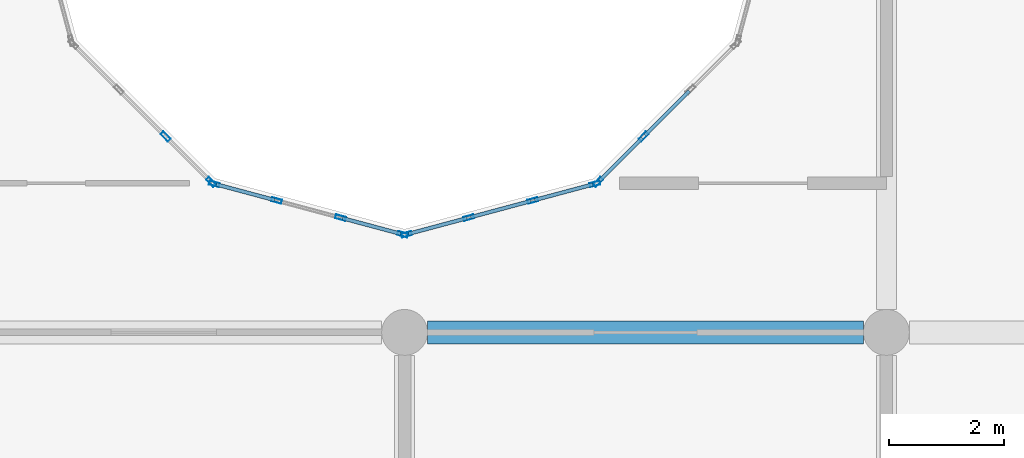
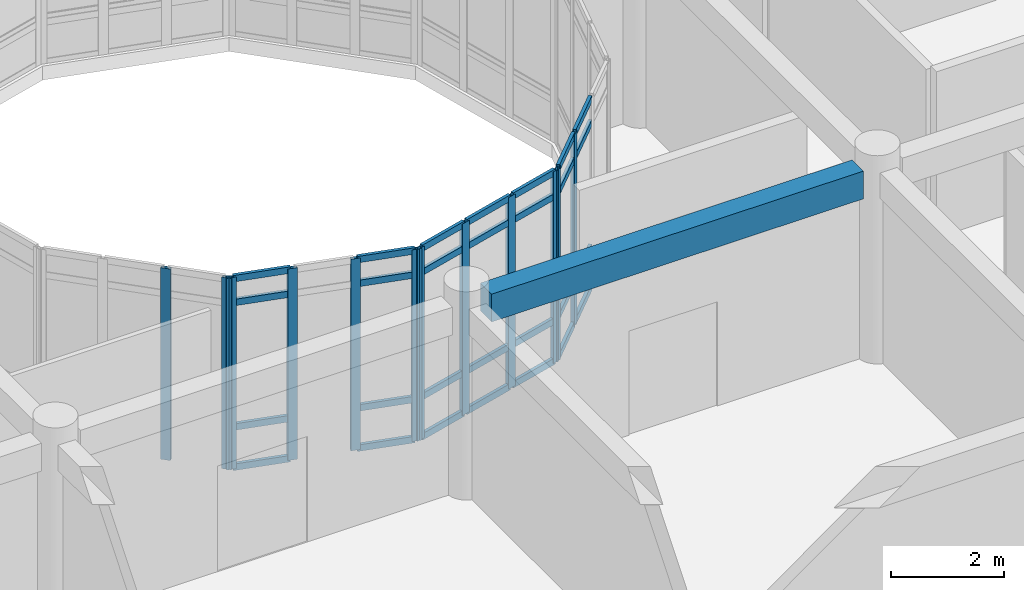
# One storey, part 32 of 144: 40 members, 1 beam, 4 elements without a shape of their own.
"""IFC4 building model written with IfcOpenShell, lengths in metres."""

from ifc_helpers import new_model, si_unit, direction, frame, origin, origin_2d, place, context, subcontext, project, spatial, rectangle, hollow_rectangle, extrude, material, layer, layer_set, material_profile, profile_set, type_object, element, aggregate, save


model = new_model("IFC4")

# Units and contexts
model_context = context("Model", 3, precision=1e-05, world=origin(), true_north=direction((0.0, 1.0)))
body_context = subcontext(model_context, "Body", "Model", "MODEL_VIEW")
ifc_project = project(units=[si_unit("LENGTHUNIT", "METRE"), si_unit("AREAUNIT", "SQUARE_METRE"), si_unit("VOLUMEUNIT", "CUBIC_METRE"), si_unit("PLANEANGLEUNIT", "RADIAN"), si_unit("MASSUNIT", "GRAM", prefix="KILO")], contexts=[model_context])

# Site, building, storey
site_placement = place(None, origin())
site = spatial("IfcSite", under=ifc_project, at=site_placement, CompositionType="ELEMENT")
building_placement = place(site_placement, origin())
building = spatial("IfcBuilding", under=site, at=building_placement, Name="Bramfleet General Hospital", CompositionType="ELEMENT")
storey_placement = place(building_placement, frame((0.0, 0.0, 4.800048828125)))
storey = spatial("IfcBuildingStorey", under=building, at=storey_placement, Name="L01", CompositionType="ELEMENT", Elevation=4.800048828125)

# Beam
ifc_material_1 = material(Name="Concrete C35/45", Category="concrete")
ifc_material_profile_1 = material_profile(ifc_material_1, rectangle(XDim=0.39990234375, YDim=0.60009765625, at=origin_2d()), Name="RC BM 600x400")
ifc_profile_set_1 = profile_set([ifc_material_profile_1], Name="Concrete C35/45")
beam_type = type_object("IfcBeamType", Name="BM-RC600", PredefinedType="BEAM", material=ifc_profile_set_1)
beam_placement = place(storey_placement, frame((25.60009765625, 75.60009765625, 3.849853515625), z_axis=(1.0, 0.0, 0.0), x_axis=(0.0, 1.0, 0.0)))
element("IfcBeam", 1, at=beam_placement, inside=storey, type_object=beam_type, Name="L01 Grid Beam X 03-09", PredefinedType="BEAM", context=body_context, shape_type="SweptSolid", body=[
    extrude(rectangle(XDim=0.39990234375, YDim=0.60009765625, at=origin_2d()), origin(), (0.0, 0.0, 1.0), 7.599853515625),
])

# Curtain wall, members
ifc_material_2 = material(Name="Anodised aluminium and low-E triple glazing", Category="aluminium")
ifc_layer_1 = layer(ifc_material_2, 0.179931640625, Name="CWT-CW-18")
ifc_layer_set_1 = layer_set([ifc_layer_1], Name="Anodised aluminium and low-E triple glazing")
curtain_wall_type_1 = type_object("IfcCurtainWallType", Name="CWT-CW-18", PredefinedType="USERDEFINED", material=ifc_layer_set_1)
curtain_wall_1_placement = place(storey_placement, origin())
curtain_wall_1 = element("IfcCurtainWall", 2, at=curtain_wall_1_placement, inside=storey, type_object=curtain_wall_type_1, Name="L01 West Clinical Light Court Curtain Wall 2.1", ObjectType="Stick curtain wall", PredefinedType="USERDEFINED")
ifc_material_3 = material(Name="Anodised aluminium EN AW-6060", Category="aluminium")
ifc_material_profile_2 = material_profile(ifc_material_3, hollow_rectangle(XDim=0.070068359375, YDim=0.179931640625, WallThickness=0.00390625, at=origin_2d()), Name="ALU 180x70x4.0")
ifc_profile_set_2 = profile_set([ifc_material_profile_2], Name="Anodised aluminium EN AW-6060")
member_type_1 = type_object("IfcMemberType", Name="CWM-ALU180", PredefinedType="MULLION", material=ifc_profile_set_2)
member_1_placement = place(storey_placement, frame((21.03271484375, 79.015380859375, 0.0), z_axis=(0.0, 0.0, 1.0), x_axis=(0.707106781187, 0.707106781187, 0.0)))
member_1 = element("IfcMember", 3, at=member_1_placement, type_object=member_type_1, Name="CW-18 mullion 3", PredefinedType="MULLION", context=body_context, shape_type="SweptSolid", body=[
    extrude(hollow_rectangle(XDim=0.070068359375, YDim=0.179931640625, WallThickness=0.00390625, at=origin_2d()), origin(), (0.0, 0.0, 1.0), 4.139892578125),
])
member_2_placement = place(storey_placement, frame((21.8251953125, 78.22265625, 0.0), z_axis=(0.0, 0.0, 1.0), x_axis=(0.707106781187, 0.707106781187, 0.0)))
member_2 = element("IfcMember", 4, at=member_2_placement, type_object=member_type_1, Name="CW-18 mullion 4", PredefinedType="MULLION", context=body_context, shape_type="SweptSolid", body=[
    extrude(hollow_rectangle(XDim=0.070068359375, YDim=0.179931640625, WallThickness=0.00390625, at=origin_2d()), origin(), (0.0, 0.0, 1.0), 4.139892578125),
])
aggregate(curtain_wall_1, [member_1, member_2])

ifc_layer_2 = layer(ifc_material_2, 0.179931640625, Name="CWT-CW-11")
ifc_layer_set_2 = layer_set([ifc_layer_2], Name="Anodised aluminium and low-E triple glazing")
curtain_wall_type_2 = type_object("IfcCurtainWallType", Name="CWT-CW-11", PredefinedType="USERDEFINED", material=ifc_layer_set_2)
curtain_wall_2_placement = place(storey_placement, origin())
curtain_wall_2 = element("IfcCurtainWall", 5, at=curtain_wall_2_placement, inside=storey, type_object=curtain_wall_type_2, Name="L01 West Clinical Light Court Curtain Wall 3.1", ObjectType="Stick curtain wall", PredefinedType="USERDEFINED")
member_3_placement = place(storey_placement, frame((21.8837890625, 78.18896484375, 0.0), z_axis=(0.0, 0.0, 1.0), x_axis=(0.25891863407, 0.965899136003, 0.0)))
member_3 = element("IfcMember", 6, at=member_3_placement, type_object=member_type_1, Name="CW-11 mullion 1", PredefinedType="MULLION", context=body_context, shape_type="SweptSolid", body=[
    extrude(hollow_rectangle(XDim=0.070068359375, YDim=0.179931640625, WallThickness=0.00390625, at=origin_2d()), origin(), (0.0, 0.0, 1.0), 4.139892578125),
])
member_4_placement = place(storey_placement, frame((22.966552734375, 77.898681640625, 0.0), z_axis=(0.0, 0.0, 1.0), x_axis=(0.25891863407, 0.965899136003, 0.0)))
member_4 = element("IfcMember", 7, at=member_4_placement, type_object=member_type_1, Name="CW-11 mullion 2", PredefinedType="MULLION", context=body_context, shape_type="SweptSolid", body=[
    extrude(hollow_rectangle(XDim=0.070068359375, YDim=0.179931640625, WallThickness=0.00390625, at=origin_2d()), origin(), (0.0, 0.0, 1.0), 4.139892578125),
])
member_5_placement = place(storey_placement, frame((24.083251953125, 77.599365234375, 0.0), z_axis=(0.0, 0.0, 1.0), x_axis=(0.25891863407, 0.965899136003, 0.0)))
member_5 = element("IfcMember", 8, at=member_5_placement, type_object=member_type_1, Name="CW-11 mullion 3", PredefinedType="MULLION", context=body_context, shape_type="SweptSolid", body=[
    extrude(hollow_rectangle(XDim=0.070068359375, YDim=0.179931640625, WallThickness=0.00390625, at=origin_2d()), origin(), (0.0, 0.0, 1.0), 4.139892578125),
])
member_6_placement = place(storey_placement, frame((25.166259765625, 77.30908203125, 0.0), z_axis=(0.0, 0.0, 1.0), x_axis=(0.25891863407, 0.965899136003, 0.0)))
member_6 = element("IfcMember", 9, at=member_6_placement, type_object=member_type_1, Name="CW-11 mullion 4", PredefinedType="MULLION", context=body_context, shape_type="SweptSolid", body=[
    extrude(hollow_rectangle(XDim=0.070068359375, YDim=0.179931640625, WallThickness=0.00390625, at=origin_2d()), origin(), (0.0, 0.0, 1.0), 4.139892578125),
])

ifc_layer_3 = layer(ifc_material_2, 0.179931640625, Name="CWT-CW-12")
ifc_layer_set_3 = layer_set([ifc_layer_3], Name="Anodised aluminium and low-E triple glazing")
curtain_wall_type_3 = type_object("IfcCurtainWallType", Name="CWT-CW-12", PredefinedType="USERDEFINED", material=ifc_layer_set_3)
curtain_wall_3_placement = place(storey_placement, origin())
curtain_wall_3 = element("IfcCurtainWall", 10, at=curtain_wall_3_placement, inside=storey, type_object=curtain_wall_type_3, Name="L01 West Clinical Light Court Curtain Wall 4.1", ObjectType="Stick curtain wall", PredefinedType="USERDEFINED")
member_7_placement = place(storey_placement, frame((25.23388671875, 77.30908203125, 0.0), z_axis=(0.0, 0.0, 1.0), x_axis=(-0.25891863407, 0.965899136003, 0.0)))
member_7 = element("IfcMember", 11, at=member_7_placement, type_object=member_type_1, Name="CW-12 mullion 1", PredefinedType="MULLION", context=body_context, shape_type="SweptSolid", body=[
    extrude(hollow_rectangle(XDim=0.070068359375, YDim=0.179931640625, WallThickness=0.00390625, at=origin_2d()), origin(), (0.0, 0.0, 1.0), 4.139892578125),
])
member_8_placement = place(storey_placement, frame((26.316650390625, 77.599365234375, 0.0), z_axis=(0.0, 0.0, 1.0), x_axis=(-0.25891863407, 0.965899136003, 0.0)))
member_8 = element("IfcMember", 12, at=member_8_placement, type_object=member_type_1, Name="CW-12 mullion 2", PredefinedType="MULLION", context=body_context, shape_type="SweptSolid", body=[
    extrude(hollow_rectangle(XDim=0.070068359375, YDim=0.179931640625, WallThickness=0.00390625, at=origin_2d()), origin(), (0.0, 0.0, 1.0), 4.139892578125),
])
member_9_placement = place(storey_placement, frame((27.433349609375, 77.898681640625, 0.0), z_axis=(0.0, 0.0, 1.0), x_axis=(-0.25891863407, 0.965899136003, 0.0)))
member_9 = element("IfcMember", 13, at=member_9_placement, type_object=member_type_1, Name="CW-12 mullion 3", PredefinedType="MULLION", context=body_context, shape_type="SweptSolid", body=[
    extrude(hollow_rectangle(XDim=0.070068359375, YDim=0.179931640625, WallThickness=0.00390625, at=origin_2d()), origin(), (0.0, 0.0, 1.0), 4.139892578125),
])
member_10_placement = place(storey_placement, frame((28.51611328125, 78.18896484375, 0.0), z_axis=(0.0, 0.0, 1.0), x_axis=(-0.25891863407, 0.965899136003, 0.0)))
member_10 = element("IfcMember", 14, at=member_10_placement, type_object=member_type_1, Name="CW-12 mullion 4", PredefinedType="MULLION", context=body_context, shape_type="SweptSolid", body=[
    extrude(hollow_rectangle(XDim=0.070068359375, YDim=0.179931640625, WallThickness=0.00390625, at=origin_2d()), origin(), (0.0, 0.0, 1.0), 4.139892578125),
])

ifc_layer_4 = layer(ifc_material_2, 0.179931640625, Name="CWT-CW-13")
ifc_layer_set_4 = layer_set([ifc_layer_4], Name="Anodised aluminium and low-E triple glazing")
curtain_wall_type_4 = type_object("IfcCurtainWallType", Name="CWT-CW-13", PredefinedType="USERDEFINED", material=ifc_layer_set_4)
curtain_wall_4_placement = place(storey_placement, origin())
curtain_wall_4 = element("IfcCurtainWall", 15, at=curtain_wall_4_placement, inside=storey, type_object=curtain_wall_type_4, Name="L01 West Clinical Light Court Curtain Wall 5.1", ObjectType="Stick curtain wall", PredefinedType="USERDEFINED")
member_11_placement = place(storey_placement, frame((28.57470703125, 78.22265625, 0.0), z_axis=(0.0, 0.0, 1.0), x_axis=(-0.707106781187, 0.707106781187, 0.0)))
member_11 = element("IfcMember", 16, at=member_11_placement, type_object=member_type_1, Name="CW-13 mullion 1", PredefinedType="MULLION", context=body_context, shape_type="SweptSolid", body=[
    extrude(hollow_rectangle(XDim=0.070068359375, YDim=0.179931640625, WallThickness=0.00390625, at=origin_2d()), origin(), (0.0, 0.0, 1.0), 4.139892578125),
])
member_12_placement = place(storey_placement, frame((29.367431640625, 79.015380859375, 0.0), z_axis=(0.0, 0.0, 1.0), x_axis=(-0.707106781187, 0.707106781187, 0.0)))
member_12 = element("IfcMember", 17, at=member_12_placement, type_object=member_type_1, Name="CW-13 mullion 2", PredefinedType="MULLION", context=body_context, shape_type="SweptSolid", body=[
    extrude(hollow_rectangle(XDim=0.070068359375, YDim=0.179931640625, WallThickness=0.00390625, at=origin_2d()), origin(), (0.0, 0.0, 1.0), 4.139892578125),
])

# Member
ifc_material_profile_3 = material_profile(ifc_material_3, hollow_rectangle(XDim=0.06494140625, YDim=0.139892578125, WallThickness=0.00390625, at=origin_2d()), Name="ALU 140x65x4.0")
ifc_profile_set_3 = profile_set([ifc_material_profile_3], Name="Anodised aluminium EN AW-6060")
member_type_2 = type_object("IfcMemberType", Name="CWT-ALU140", PredefinedType="USERDEFINED", material=ifc_profile_set_3)
member_13_placement = place(storey_placement, frame((21.917724609375, 78.179931640625, 0.032470703125), z_axis=(0.965875443458, -0.259007003236, 0.0), x_axis=(0.259007003236, 0.965875443458, 0.0)))
member_13 = element("IfcMember", 18, at=member_13_placement, type_object=member_type_2, Name="CW-11 transom 1.1", ObjectType="TRANSOM", PredefinedType="USERDEFINED", context=body_context, shape_type="SweptSolid", body=[
    extrude(hollow_rectangle(XDim=0.06494140625, YDim=0.139892578125, WallThickness=0.00390625, at=origin_2d()), origin(), (0.0, 0.0, 1.0), 1.051025390625),
])

member_14_placement = place(storey_placement, frame((21.917724609375, 78.179931640625, 0.89990234375), z_axis=(0.965875443458, -0.259007003236, 0.0), x_axis=(0.259007003236, 0.965875443458, 0.0)))
member_14 = element("IfcMember", 19, at=member_14_placement, type_object=member_type_2, Name="CW-11 transom 1.2", ObjectType="TRANSOM", PredefinedType="USERDEFINED", context=body_context, shape_type="SweptSolid", body=[
    extrude(hollow_rectangle(XDim=0.06494140625, YDim=0.139892578125, WallThickness=0.00390625, at=origin_2d()), origin(), (0.0, 0.0, 1.0), 1.051025390625),
])

member_15_placement = place(storey_placement, frame((21.917724609375, 78.179931640625, 3.58984375), z_axis=(0.965875443458, -0.259007003236, 0.0), x_axis=(0.259007003236, 0.965875443458, 0.0)))
member_15 = element("IfcMember", 20, at=member_15_placement, type_object=member_type_2, Name="CW-11 transom 1.3", ObjectType="TRANSOM", PredefinedType="USERDEFINED", context=body_context, shape_type="SweptSolid", body=[
    extrude(hollow_rectangle(XDim=0.06494140625, YDim=0.139892578125, WallThickness=0.00390625, at=origin_2d()), origin(), (0.0, 0.0, 1.0), 1.051025390625),
])

member_16_placement = place(storey_placement, frame((21.917724609375, 78.179931640625, 4.107421875), z_axis=(0.965875443458, -0.259007003236, 0.0), x_axis=(0.259007003236, 0.965875443458, 0.0)))
member_16 = element("IfcMember", 21, at=member_16_placement, type_object=member_type_2, Name="CW-11 transom 1.4", ObjectType="TRANSOM", PredefinedType="USERDEFINED", context=body_context, shape_type="SweptSolid", body=[
    extrude(hollow_rectangle(XDim=0.06494140625, YDim=0.139892578125, WallThickness=0.00390625, at=origin_2d()), origin(), (0.0, 0.0, 1.0), 1.051025390625),
])

member_17_placement = place(storey_placement, frame((24.1171875, 77.59033203125, 0.032470703125), z_axis=(0.965875443458, -0.259007003236, 0.0), x_axis=(0.259007003236, 0.965875443458, 0.0)))
member_17 = element("IfcMember", 22, at=member_17_placement, type_object=member_type_2, Name="CW-11 transom 3.1", ObjectType="TRANSOM", PredefinedType="USERDEFINED", context=body_context, shape_type="SweptSolid", body=[
    extrude(hollow_rectangle(XDim=0.06494140625, YDim=0.139892578125, WallThickness=0.00390625, at=origin_2d()), origin(), (0.0, 0.0, 1.0), 1.051025390625),
])

member_18_placement = place(storey_placement, frame((24.1171875, 77.59033203125, 0.89990234375), z_axis=(0.965875443458, -0.259007003236, 0.0), x_axis=(0.259007003236, 0.965875443458, 0.0)))
member_18 = element("IfcMember", 23, at=member_18_placement, type_object=member_type_2, Name="CW-11 transom 3.2", ObjectType="TRANSOM", PredefinedType="USERDEFINED", context=body_context, shape_type="SweptSolid", body=[
    extrude(hollow_rectangle(XDim=0.06494140625, YDim=0.139892578125, WallThickness=0.00390625, at=origin_2d()), origin(), (0.0, 0.0, 1.0), 1.051025390625),
])

member_19_placement = place(storey_placement, frame((24.1171875, 77.59033203125, 3.58984375), z_axis=(0.965875443458, -0.259007003236, 0.0), x_axis=(0.259007003236, 0.965875443458, 0.0)))
member_19 = element("IfcMember", 24, at=member_19_placement, type_object=member_type_2, Name="CW-11 transom 3.3", ObjectType="TRANSOM", PredefinedType="USERDEFINED", context=body_context, shape_type="SweptSolid", body=[
    extrude(hollow_rectangle(XDim=0.06494140625, YDim=0.139892578125, WallThickness=0.00390625, at=origin_2d()), origin(), (0.0, 0.0, 1.0), 1.051025390625),
])

member_20_placement = place(storey_placement, frame((24.1171875, 77.59033203125, 4.107421875), z_axis=(0.965875443458, -0.259007003236, 0.0), x_axis=(0.259007003236, 0.965875443458, 0.0)))
member_20 = element("IfcMember", 25, at=member_20_placement, type_object=member_type_2, Name="CW-11 transom 3.4", ObjectType="TRANSOM", PredefinedType="USERDEFINED", context=body_context, shape_type="SweptSolid", body=[
    extrude(hollow_rectangle(XDim=0.06494140625, YDim=0.139892578125, WallThickness=0.00390625, at=origin_2d()), origin(), (0.0, 0.0, 1.0), 1.051025390625),
])

aggregate(curtain_wall_2, [member_3, member_4, member_5, member_6, member_13, member_14, member_15, member_16, member_17, member_18, member_19, member_20])

member_21_placement = place(storey_placement, frame((25.267578125, 77.318115234375, 0.032470703125), z_axis=(0.965891021523, 0.258948903342, 0.0), x_axis=(-0.258948903342, 0.965891021523, 0.0)))
member_21 = element("IfcMember", 26, at=member_21_placement, type_object=member_type_2, Name="CW-12 transom 1.1", ObjectType="TRANSOM", PredefinedType="USERDEFINED", context=body_context, shape_type="SweptSolid", body=[
    extrude(hollow_rectangle(XDim=0.06494140625, YDim=0.139892578125, WallThickness=0.00390625, at=origin_2d()), origin(), (0.0, 0.0, 1.0), 1.05126953125),
])

member_22_placement = place(storey_placement, frame((25.267578125, 77.318115234375, 0.89990234375), z_axis=(0.965891021523, 0.258948903342, 0.0), x_axis=(-0.258948903342, 0.965891021523, 0.0)))
member_22 = element("IfcMember", 27, at=member_22_placement, type_object=member_type_2, Name="CW-12 transom 1.2", ObjectType="TRANSOM", PredefinedType="USERDEFINED", context=body_context, shape_type="SweptSolid", body=[
    extrude(hollow_rectangle(XDim=0.06494140625, YDim=0.139892578125, WallThickness=0.00390625, at=origin_2d()), origin(), (0.0, 0.0, 1.0), 1.05126953125),
])

member_23_placement = place(storey_placement, frame((25.267578125, 77.318115234375, 3.58984375), z_axis=(0.965891021523, 0.258948903342, 0.0), x_axis=(-0.258948903342, 0.965891021523, 0.0)))
member_23 = element("IfcMember", 28, at=member_23_placement, type_object=member_type_2, Name="CW-12 transom 1.3", ObjectType="TRANSOM", PredefinedType="USERDEFINED", context=body_context, shape_type="SweptSolid", body=[
    extrude(hollow_rectangle(XDim=0.06494140625, YDim=0.139892578125, WallThickness=0.00390625, at=origin_2d()), origin(), (0.0, 0.0, 1.0), 1.05126953125),
])

member_24_placement = place(storey_placement, frame((25.267578125, 77.318115234375, 4.107421875), z_axis=(0.965891021523, 0.258948903342, 0.0), x_axis=(-0.258948903342, 0.965891021523, 0.0)))
member_24 = element("IfcMember", 29, at=member_24_placement, type_object=member_type_2, Name="CW-12 transom 1.4", ObjectType="TRANSOM", PredefinedType="USERDEFINED", context=body_context, shape_type="SweptSolid", body=[
    extrude(hollow_rectangle(XDim=0.06494140625, YDim=0.139892578125, WallThickness=0.00390625, at=origin_2d()), origin(), (0.0, 0.0, 1.0), 1.05126953125),
])

member_25_placement = place(storey_placement, frame((26.3505859375, 77.6083984375, 0.032470703125), z_axis=(0.965875768108, 0.259005792565, 0.0), x_axis=(-0.259005792565, 0.965875768108, 0.0)))
member_25 = element("IfcMember", 30, at=member_25_placement, type_object=member_type_2, Name="CW-12 transom 2.1", ObjectType="TRANSOM", PredefinedType="USERDEFINED", context=body_context, shape_type="SweptSolid", body=[
    extrude(hollow_rectangle(XDim=0.06494140625, YDim=0.139892578125, WallThickness=0.00390625, at=origin_2d()), origin(), (0.0, 0.0, 1.0), 1.0859375),
])

member_26_placement = place(storey_placement, frame((26.3505859375, 77.6083984375, 0.89990234375), z_axis=(0.965875768108, 0.259005792565, 0.0), x_axis=(-0.259005792565, 0.965875768108, 0.0)))
member_26 = element("IfcMember", 31, at=member_26_placement, type_object=member_type_2, Name="CW-12 transom 2.2", ObjectType="TRANSOM", PredefinedType="USERDEFINED", context=body_context, shape_type="SweptSolid", body=[
    extrude(hollow_rectangle(XDim=0.06494140625, YDim=0.139892578125, WallThickness=0.00390625, at=origin_2d()), origin(), (0.0, 0.0, 1.0), 1.0859375),
])

member_27_placement = place(storey_placement, frame((26.3505859375, 77.6083984375, 3.58984375), z_axis=(0.965875768108, 0.259005792565, 0.0), x_axis=(-0.259005792565, 0.965875768108, 0.0)))
member_27 = element("IfcMember", 32, at=member_27_placement, type_object=member_type_2, Name="CW-12 transom 2.3", ObjectType="TRANSOM", PredefinedType="USERDEFINED", context=body_context, shape_type="SweptSolid", body=[
    extrude(hollow_rectangle(XDim=0.06494140625, YDim=0.139892578125, WallThickness=0.00390625, at=origin_2d()), origin(), (0.0, 0.0, 1.0), 1.0859375),
])

member_28_placement = place(storey_placement, frame((26.3505859375, 77.6083984375, 4.107421875), z_axis=(0.965875768108, 0.259005792565, 0.0), x_axis=(-0.259005792565, 0.965875768108, 0.0)))
member_28 = element("IfcMember", 33, at=member_28_placement, type_object=member_type_2, Name="CW-12 transom 2.4", ObjectType="TRANSOM", PredefinedType="USERDEFINED", context=body_context, shape_type="SweptSolid", body=[
    extrude(hollow_rectangle(XDim=0.06494140625, YDim=0.139892578125, WallThickness=0.00390625, at=origin_2d()), origin(), (0.0, 0.0, 1.0), 1.0859375),
])

member_29_placement = place(storey_placement, frame((27.467041015625, 77.90771484375, 0.032470703125), z_axis=(0.965891021523, 0.258948903342, 0.0), x_axis=(-0.258948903342, 0.965891021523, 0.0)))
member_29 = element("IfcMember", 34, at=member_29_placement, type_object=member_type_2, Name="CW-12 transom 3.1", ObjectType="TRANSOM", PredefinedType="USERDEFINED", context=body_context, shape_type="SweptSolid", body=[
    extrude(hollow_rectangle(XDim=0.06494140625, YDim=0.139892578125, WallThickness=0.00390625, at=origin_2d()), origin(), (0.0, 0.0, 1.0), 1.05126953125),
])

member_30_placement = place(storey_placement, frame((27.467041015625, 77.90771484375, 0.89990234375), z_axis=(0.965891021523, 0.258948903342, 0.0), x_axis=(-0.258948903342, 0.965891021523, 0.0)))
member_30 = element("IfcMember", 35, at=member_30_placement, type_object=member_type_2, Name="CW-12 transom 3.2", ObjectType="TRANSOM", PredefinedType="USERDEFINED", context=body_context, shape_type="SweptSolid", body=[
    extrude(hollow_rectangle(XDim=0.06494140625, YDim=0.139892578125, WallThickness=0.00390625, at=origin_2d()), origin(), (0.0, 0.0, 1.0), 1.05126953125),
])

member_31_placement = place(storey_placement, frame((27.467041015625, 77.90771484375, 3.58984375), z_axis=(0.965891021523, 0.258948903342, 0.0), x_axis=(-0.258948903342, 0.965891021523, 0.0)))
member_31 = element("IfcMember", 36, at=member_31_placement, type_object=member_type_2, Name="CW-12 transom 3.3", ObjectType="TRANSOM", PredefinedType="USERDEFINED", context=body_context, shape_type="SweptSolid", body=[
    extrude(hollow_rectangle(XDim=0.06494140625, YDim=0.139892578125, WallThickness=0.00390625, at=origin_2d()), origin(), (0.0, 0.0, 1.0), 1.05126953125),
])

member_32_placement = place(storey_placement, frame((27.467041015625, 77.90771484375, 4.107421875), z_axis=(0.965891021523, 0.258948903342, 0.0), x_axis=(-0.258948903342, 0.965891021523, 0.0)))
member_32 = element("IfcMember", 37, at=member_32_placement, type_object=member_type_2, Name="CW-12 transom 3.4", ObjectType="TRANSOM", PredefinedType="USERDEFINED", context=body_context, shape_type="SweptSolid", body=[
    extrude(hollow_rectangle(XDim=0.06494140625, YDim=0.139892578125, WallThickness=0.00390625, at=origin_2d()), origin(), (0.0, 0.0, 1.0), 1.05126953125),
])

aggregate(curtain_wall_3, [member_7, member_8, member_9, member_10, member_21, member_22, member_23, member_24, member_25, member_26, member_27, member_28, member_29, member_30, member_31, member_32])

member_33_placement = place(storey_placement, frame((28.599609375, 78.24755859375, 0.032470703125), z_axis=(0.707106781187, 0.707106781187, 0.0), x_axis=(-0.707106781187, 0.707106781187, 0.0)))
member_33 = element("IfcMember", 38, at=member_33_placement, type_object=member_type_2, Name="CW-13 transom 1.1", ObjectType="TRANSOM", PredefinedType="USERDEFINED", context=body_context, shape_type="SweptSolid", body=[
    extrude(hollow_rectangle(XDim=0.06494140625, YDim=0.139892578125, WallThickness=0.00390625, at=origin_2d()), origin(), (0.0, 0.0, 1.0), 1.050537109375),
])

member_34_placement = place(storey_placement, frame((28.599609375, 78.24755859375, 0.89990234375), z_axis=(0.707106781187, 0.707106781187, 0.0), x_axis=(-0.707106781187, 0.707106781187, 0.0)))
member_34 = element("IfcMember", 39, at=member_34_placement, type_object=member_type_2, Name="CW-13 transom 1.2", ObjectType="TRANSOM", PredefinedType="USERDEFINED", context=body_context, shape_type="SweptSolid", body=[
    extrude(hollow_rectangle(XDim=0.06494140625, YDim=0.139892578125, WallThickness=0.00390625, at=origin_2d()), origin(), (0.0, 0.0, 1.0), 1.050537109375),
])

member_35_placement = place(storey_placement, frame((28.599609375, 78.24755859375, 3.58984375), z_axis=(0.707106781187, 0.707106781187, 0.0), x_axis=(-0.707106781187, 0.707106781187, 0.0)))
member_35 = element("IfcMember", 40, at=member_35_placement, type_object=member_type_2, Name="CW-13 transom 1.3", ObjectType="TRANSOM", PredefinedType="USERDEFINED", context=body_context, shape_type="SweptSolid", body=[
    extrude(hollow_rectangle(XDim=0.06494140625, YDim=0.139892578125, WallThickness=0.00390625, at=origin_2d()), origin(), (0.0, 0.0, 1.0), 1.050537109375),
])

member_36_placement = place(storey_placement, frame((28.599609375, 78.24755859375, 4.107421875), z_axis=(0.707106781187, 0.707106781187, 0.0), x_axis=(-0.707106781187, 0.707106781187, 0.0)))
member_36 = element("IfcMember", 41, at=member_36_placement, type_object=member_type_2, Name="CW-13 transom 1.4", ObjectType="TRANSOM", PredefinedType="USERDEFINED", context=body_context, shape_type="SweptSolid", body=[
    extrude(hollow_rectangle(XDim=0.06494140625, YDim=0.139892578125, WallThickness=0.00390625, at=origin_2d()), origin(), (0.0, 0.0, 1.0), 1.050537109375),
])

member_37_placement = place(storey_placement, frame((29.39208984375, 79.0400390625, 0.032470703125), z_axis=(0.707106781187, 0.707106781187, 0.0), x_axis=(-0.707106781187, 0.707106781187, 0.0)))
member_37 = element("IfcMember", 42, at=member_37_placement, type_object=member_type_2, Name="CW-13 transom 2.1", ObjectType="TRANSOM", PredefinedType="USERDEFINED", context=body_context, shape_type="SweptSolid", body=[
    extrude(hollow_rectangle(XDim=0.06494140625, YDim=0.139892578125, WallThickness=0.00390625, at=origin_2d()), origin(), (0.0, 0.0, 1.0), 1.0859375),
])

member_38_placement = place(storey_placement, frame((29.39208984375, 79.0400390625, 0.89990234375), z_axis=(0.707106781187, 0.707106781187, 0.0), x_axis=(-0.707106781187, 0.707106781187, 0.0)))
member_38 = element("IfcMember", 43, at=member_38_placement, type_object=member_type_2, Name="CW-13 transom 2.2", ObjectType="TRANSOM", PredefinedType="USERDEFINED", context=body_context, shape_type="SweptSolid", body=[
    extrude(hollow_rectangle(XDim=0.06494140625, YDim=0.139892578125, WallThickness=0.00390625, at=origin_2d()), origin(), (0.0, 0.0, 1.0), 1.0859375),
])

member_39_placement = place(storey_placement, frame((29.39208984375, 79.0400390625, 3.58984375), z_axis=(0.707106781187, 0.707106781187, 0.0), x_axis=(-0.707106781187, 0.707106781187, 0.0)))
member_39 = element("IfcMember", 44, at=member_39_placement, type_object=member_type_2, Name="CW-13 transom 2.3", ObjectType="TRANSOM", PredefinedType="USERDEFINED", context=body_context, shape_type="SweptSolid", body=[
    extrude(hollow_rectangle(XDim=0.06494140625, YDim=0.139892578125, WallThickness=0.00390625, at=origin_2d()), origin(), (0.0, 0.0, 1.0), 1.0859375),
])

member_40_placement = place(storey_placement, frame((29.39208984375, 79.0400390625, 4.107421875), z_axis=(0.707106781187, 0.707106781187, 0.0), x_axis=(-0.707106781187, 0.707106781187, 0.0)))
member_40 = element("IfcMember", 45, at=member_40_placement, type_object=member_type_2, Name="CW-13 transom 2.4", ObjectType="TRANSOM", PredefinedType="USERDEFINED", context=body_context, shape_type="SweptSolid", body=[
    extrude(hollow_rectangle(XDim=0.06494140625, YDim=0.139892578125, WallThickness=0.00390625, at=origin_2d()), origin(), (0.0, 0.0, 1.0), 1.0859375),
])

aggregate(curtain_wall_4, [member_11, member_12, member_33, member_34, member_35, member_36, member_37, member_38, member_39, member_40])

save(model, "model.ifc")
